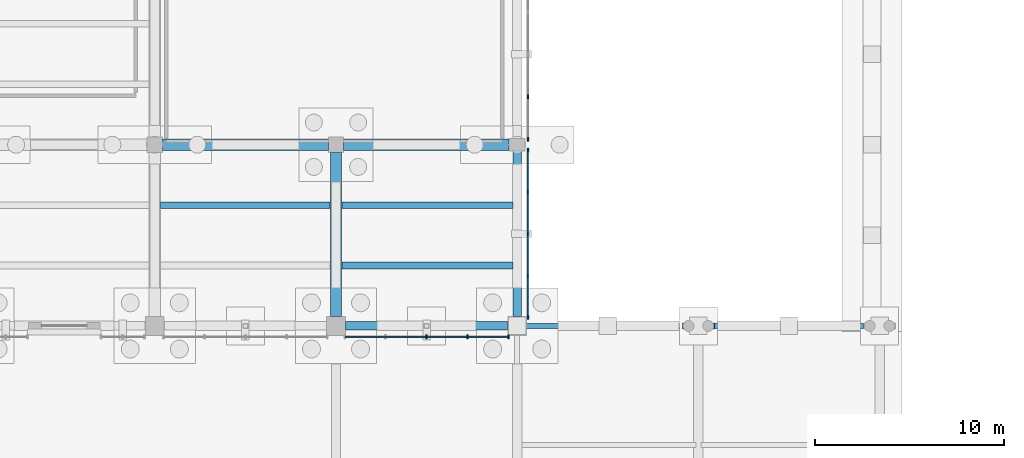
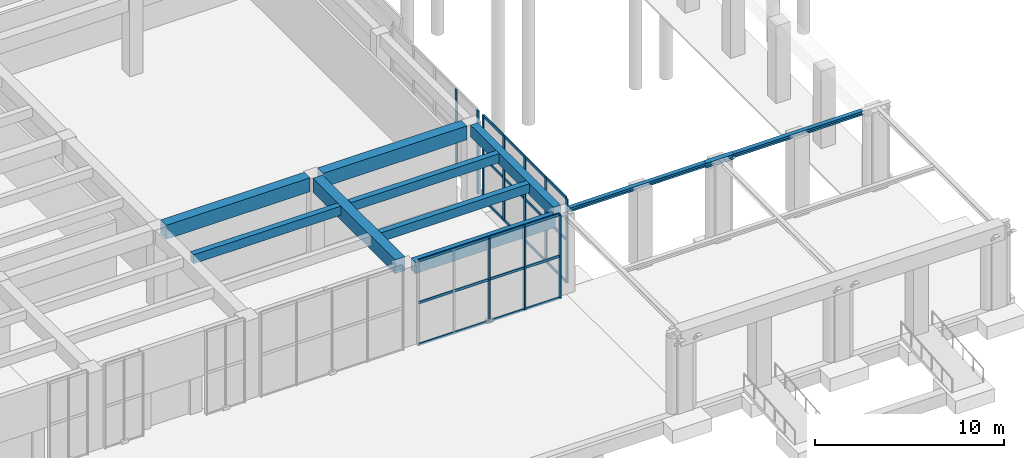
# One storey, part 18 of 51: 16 members, 11 beams, 3 elements without a shape of their own.
"""IFC4 building model written with IfcOpenShell, lengths in metres."""

from ifc_helpers import new_model, si_unit, direction, frame, origin, origin_2d, place, context, subcontext, project, spatial, rectangle, i_section, extrude, material, layer, layer_set, material_profile, profile_set, type_object, element, aggregate, save


model = new_model("IFC4")

# Units and contexts
model_context = context("Model", 3, precision=1e-05, world=origin(), true_north=direction((0.0, 1.0)))
body_context = subcontext(model_context, "Body", "Model", "MODEL_VIEW")
ifc_project = project(units=[si_unit("LENGTHUNIT", "METRE"), si_unit("AREAUNIT", "SQUARE_METRE"), si_unit("VOLUMEUNIT", "CUBIC_METRE"), si_unit("PLANEANGLEUNIT", "RADIAN"), si_unit("MASSUNIT", "GRAM", prefix="KILO")], contexts=[model_context])

# Site, building, storey
site_placement = place(None, origin())
site = spatial("IfcSite", under=ifc_project, at=site_placement, CompositionType="ELEMENT")
building_placement = place(site_placement, origin())
building = spatial("IfcBuilding", under=site, at=building_placement, Name="Bempovik Park Faculty of Sciences", CompositionType="ELEMENT")
storey_placement = place(building_placement, origin())
storey = spatial("IfcBuildingStorey", under=building, at=storey_placement, Name="L00", CompositionType="ELEMENT", Elevation=0.0)

# Beams
ifc_material_1 = material(Name="Steel S355", Category="steel")
ifc_material_profile_1 = material_profile(ifc_material_1, i_section(OverallWidth=0.300048828125, OverallDepth=0.31005859375, WebThickness=0.009033203125, FlangeThickness=0.015380859375, at=origin_2d()), Name="HEA 320")
ifc_profile_set_1 = profile_set([ifc_material_profile_1], Name="Steel S355")
beam_type_1 = type_object("IfcBeamType", Name="B-024 HEA 320", PredefinedType="BEAM", material=ifc_profile_set_1)
beam_1_placement = place(storey_placement, frame((126.35009765625, 19.800048828125, 5.02490234375), z_axis=(1.0, 0.0, 0.0), x_axis=(0.0, 1.0, 0.0)))
element("IfcBeam", 1, at=beam_1_placement, inside=storey, type_object=beam_type_1, Name="Colonnade Rear Cap Beam E-127.2", PredefinedType="BEAM", context=body_context, shape_type="SweptSolid", body=[
    extrude(i_section(OverallWidth=0.300048828125, OverallDepth=0.31005859375, WebThickness=0.009033203125, FlangeThickness=0.015380859375, at=origin_2d()), origin(), (0.0, 0.0, 1.0), 1.699951171875),
])
ifc_material_profile_2 = material_profile(ifc_material_1, i_section(OverallWidth=0.260009765625, OverallDepth=0.25, WebThickness=0.007568359375, FlangeThickness=0.012451171875, at=origin_2d()), Name="HEA 260")
ifc_profile_set_2 = profile_set([ifc_material_profile_2], Name="Steel S355")
beam_type_2 = type_object("IfcBeamType", Name="B-082 HEA 260", PredefinedType="BEAM", material=ifc_profile_set_2)
beam_2_placement = place(storey_placement, frame((118.02587890625, 19.800048828125, 5.054931640625), z_axis=(1.0, 0.0, 0.0), x_axis=(0.0, 1.0, 0.0)))
element("IfcBeam", 2, at=beam_2_placement, inside=storey, type_object=beam_type_2, Name="Colonnade Beam X E (117.6-127.2)", PredefinedType="BEAM", context=body_context, shape_type="SweptSolid", body=[
    extrude(i_section(OverallWidth=0.260009765625, OverallDepth=0.25, WebThickness=0.007568359375, FlangeThickness=0.012451171875, at=origin_2d()), origin(), (0.0, 0.0, 1.0), 8.318115234375),
])
beam_3_placement = place(storey_placement, frame((128.055908203125, 19.800048828125, 5.054931640625), z_axis=(1.0, 0.0, 0.0), x_axis=(0.0, 1.0, 0.0)))
element("IfcBeam", 3, at=beam_3_placement, inside=storey, type_object=beam_type_2, Name="Colonnade Beam X E (127.2-136.8)", PredefinedType="BEAM", context=body_context, shape_type="SweptSolid", body=[
    extrude(i_section(OverallWidth=0.260009765625, OverallDepth=0.25, WebThickness=0.007568359375, FlangeThickness=0.012451171875, at=origin_2d()), origin(), (0.0, 0.0, 1.0), 7.88818359375),
])
ifc_material_2 = material(Name="Concrete C35/45", Category="concrete")
ifc_material_profile_3 = material_profile(ifc_material_2, rectangle(XDim=0.35009765625, YDim=0.580078125, at=origin_2d()), Name="RC 350x580")
ifc_profile_set_3 = profile_set([ifc_material_profile_3], Name="Concrete C35/45")
beam_type_3 = type_object("IfcBeamType", Name="B-107 RC 350x580", PredefinedType="JOIST", material=ifc_profile_set_3)
beam_4_placement = place(storey_placement, frame((98.7060546875, 26.199951171875, 4.7900390625), z_axis=(1.0, 0.0, 0.0), x_axis=(0.0, 1.0, 0.0)))
element("IfcBeam", 4, at=beam_4_placement, inside=storey, type_object=beam_type_3, Name="L00 Secondary Joist (98.4-108.0, y=26.20)", PredefinedType="JOIST", context=body_context, shape_type="SweptSolid", body=[
    extrude(rectangle(XDim=0.35009765625, YDim=0.580078125, at=origin_2d()), origin(), (0.0, 0.0, 1.0), 8.988037109375),
])
for number, where, z_axis, x_axis, name in (
    (5, (108.305908203125, 23.0, 4.7900390625), (1.0, 0.0, 0.0), (0.0, 1.0, 0.0), "L00 Secondary Joist (108.0-117.6, y=23.00)"),
    (6, (108.305908203125, 26.199951171875, 4.7900390625), (1.0, 0.0, 0.0), (0.0, 1.0, 0.0), "L00 Secondary Joist (108.0-117.6, y=26.20)"),
):
    element("IfcBeam", number, at=place(storey_placement, frame(where, z_axis=z_axis, x_axis=x_axis)), inside=storey, type_object=beam_type_3, Name=name, PredefinedType="JOIST", context=body_context, shape_type="SweptSolid", body=[
        extrude(rectangle(XDim=0.35009765625, YDim=0.580078125, at=origin_2d()), origin(), (0.0, 0.0, 1.0), 9.06298828125),
    ])
ifc_material_3 = material(Name="Concrete C40/50", Category="concrete")
ifc_material_profile_4 = material_profile(ifc_material_3, rectangle(XDim=0.60009765625, YDim=0.89990234375, at=origin_2d()), Name="RC 600x900")
ifc_profile_set_4 = profile_set([ifc_material_profile_4], Name="Concrete C40/50")
beam_type_4 = type_object("IfcBeamType", Name="B-115 RC 600x900", PredefinedType="BEAM", material=ifc_profile_set_4)
beam_5_placement = place(storey_placement, frame((98.805908203125, 29.39990234375, 4.6298828125), z_axis=(1.0, 0.0, 0.0), x_axis=(0.0, 1.0, 0.0)))
element("IfcBeam", 7, at=beam_5_placement, inside=storey, type_object=beam_type_4, Name="L00 Beam X (98.4-108.0, y=29.4)", PredefinedType="BEAM", context=body_context, shape_type="SweptSolid", body=[
    extrude(rectangle(XDim=0.60009765625, YDim=0.89990234375, at=origin_2d()), origin(), (0.0, 0.0, 1.0), 8.7880859375),
])
beam_6_placement = place(storey_placement, frame((108.406005859375, 29.39990234375, 4.6298828125), z_axis=(1.0, 0.0, 0.0), x_axis=(0.0, 1.0, 0.0)))
element("IfcBeam", 8, at=beam_6_placement, inside=storey, type_object=beam_type_4, Name="L00 Beam X (108.0-117.6, y=29.4)", PredefinedType="BEAM", context=body_context, shape_type="SweptSolid", body=[
    extrude(rectangle(XDim=0.60009765625, YDim=0.89990234375, at=origin_2d()), origin(), (0.0, 0.0, 1.0), 8.762939453125),
])
beam_7_placement = place(storey_placement, frame((108.0, 20.305908203125, 4.6298828125), z_axis=(0.0, 1.0, 0.0), x_axis=(-1.0, 0.0, 0.0)))
element("IfcBeam", 9, at=beam_7_placement, inside=storey, type_object=beam_type_4, Name="L00 Beam Y (x=108.0, 19.8-29.4)", PredefinedType="BEAM", context=body_context, shape_type="SweptSolid", body=[
    extrude(rectangle(XDim=0.60009765625, YDim=0.89990234375, at=origin_2d()), origin(), (0.0, 0.0, 1.0), 8.68798828125),
])
ifc_material_profile_5 = material_profile(ifc_material_3, rectangle(XDim=0.449951171875, YDim=0.75, at=origin_2d()), Name="RC 450x750")
ifc_profile_set_5 = profile_set([ifc_material_profile_5], Name="Concrete C40/50")
beam_type_5 = type_object("IfcBeamType", Name="B-130 RC 450x750", PredefinedType="SPANDREL", material=ifc_profile_set_5)
beam_8_placement = place(storey_placement, frame((108.506103515625, 19.800048828125, 4.705078125), z_axis=(1.0, 0.0, 0.0), x_axis=(0.0, 1.0, 0.0)))
element("IfcBeam", 10, at=beam_8_placement, inside=storey, type_object=beam_type_5, Name="L00 Beam X (108.0-117.6, y=19.8)", PredefinedType="SPANDREL", context=body_context, shape_type="SweptSolid", body=[
    extrude(rectangle(XDim=0.449951171875, YDim=0.75, at=origin_2d()), origin(), (0.0, 0.0, 1.0), 8.587890625),
])
beam_9_placement = place(storey_placement, frame((117.60009765625, 20.305908203125, 4.705078125), z_axis=(0.0, 1.0, 0.0), x_axis=(-1.0, 0.0, 0.0)))
element("IfcBeam", 11, at=beam_9_placement, inside=storey, type_object=beam_type_5, Name="L00 Beam Y (x=117.6, 19.8-29.4)", PredefinedType="SPANDREL", context=body_context, shape_type="SweptSolid", body=[
    extrude(rectangle(XDim=0.449951171875, YDim=0.75, at=origin_2d()), origin(), (0.0, 0.0, 1.0), 8.76318359375),
])

# Curtain wall, members
ifc_material_4 = material(Name="Tempered laminated low-E glass", Category="glass")
ifc_layer = layer(ifc_material_4, 0.159912109375)
ifc_layer_set = layer_set([ifc_layer], Name="Tempered laminated low-E glass")
curtain_wall_type = type_object("IfcCurtainWallType", Name="CW-57 Curtain 7200x5100", PredefinedType="USERDEFINED", material=ifc_layer_set)
curtain_wall_1_placement = place(storey_placement, origin())
curtain_wall_1 = element("IfcCurtainWall", 12, at=curtain_wall_1_placement, inside=storey, type_object=curtain_wall_type, Name="L00 Recessed Entrance Foyer Curtain Wall (19.8-29.4)", ObjectType="UNITISED CURTAIN WALL", PredefinedType="USERDEFINED")
ifc_material_5 = material(Name="Anodised architectural bronze", Category="aluminium")
ifc_material_profile_6 = material_profile(ifc_material_5, rectangle(XDim=0.074951171875, YDim=0.199951171875, at=origin_2d()), Name="ALU-M 75x200")
ifc_profile_set_6 = profile_set([ifc_material_profile_6], Name="Anodised architectural bronze")
member_type_1 = type_object("IfcMemberType", Name="ML-17 ALU-M 75x200", PredefinedType="MULLION", material=ifc_profile_set_6)
member_1_placement = place(storey_placement, frame((118.179931640625, 20.261962890625, 0.0), z_axis=(0.0, 0.0, 1.0), x_axis=(1.0, 0.0, 0.0)))
member_1 = element("IfcMember", 13, at=member_1_placement, type_object=member_type_1, Name="CW-FOY-L00-1176-198 Mullion 0", PredefinedType="MULLION", context=body_context, shape_type="SweptSolid", body=[
    extrude(rectangle(XDim=0.074951171875, YDim=0.199951171875, at=origin_2d()), origin(), (0.0, 0.0, 1.0), 5.39990234375),
])
member_2_placement = place(storey_placement, frame((118.179931640625, 22.474853515625, 0.0), z_axis=(0.0, 0.0, 1.0), x_axis=(1.0, 0.0, 0.0)))
member_2 = element("IfcMember", 14, at=member_2_placement, type_object=member_type_1, Name="CW-FOY-L00-1176-198 Mullion 1", PredefinedType="MULLION", context=body_context, shape_type="SweptSolid", body=[
    extrude(rectangle(XDim=0.074951171875, YDim=0.199951171875, at=origin_2d()), origin(), (0.0, 0.0, 1.0), 5.39990234375),
])
member_3_placement = place(storey_placement, frame((118.179931640625, 24.6875, 0.0), z_axis=(0.0, 0.0, 1.0), x_axis=(1.0, 0.0, 0.0)))
member_3 = element("IfcMember", 15, at=member_3_placement, type_object=member_type_1, Name="CW-FOY-L00-1176-198 Mullion 2", PredefinedType="MULLION", context=body_context, shape_type="SweptSolid", body=[
    extrude(rectangle(XDim=0.074951171875, YDim=0.199951171875, at=origin_2d()), origin(), (0.0, 0.0, 1.0), 5.39990234375),
])
member_4_placement = place(storey_placement, frame((118.179931640625, 26.900146484375, 0.0), z_axis=(0.0, 0.0, 1.0), x_axis=(1.0, 0.0, 0.0)))
member_4 = element("IfcMember", 16, at=member_4_placement, type_object=member_type_1, Name="CW-FOY-L00-1176-198 Mullion 3", PredefinedType="MULLION", context=body_context, shape_type="SweptSolid", body=[
    extrude(rectangle(XDim=0.074951171875, YDim=0.199951171875, at=origin_2d()), origin(), (0.0, 0.0, 1.0), 5.39990234375),
])
member_5_placement = place(storey_placement, frame((118.179931640625, 29.113037109375, 0.0), z_axis=(0.0, 0.0, 1.0), x_axis=(1.0, 0.0, 0.0)))
member_5 = element("IfcMember", 17, at=member_5_placement, type_object=member_type_1, Name="CW-FOY-L00-1176-198 Mullion 4", PredefinedType="MULLION", context=body_context, shape_type="SweptSolid", body=[
    extrude(rectangle(XDim=0.074951171875, YDim=0.199951171875, at=origin_2d()), origin(), (0.0, 0.0, 1.0), 5.39990234375),
])

curtain_wall_2_placement = place(storey_placement, origin())
curtain_wall_2 = element("IfcCurtainWall", 18, at=curtain_wall_2_placement, inside=storey, type_object=curtain_wall_type, Name="L00 Recessed Entrance Foyer Curtain Wall (29.4-39.0)", ObjectType="UNITISED CURTAIN WALL", PredefinedType="USERDEFINED")
member_6_placement = place(storey_placement, frame((118.179931640625, 29.68701171875, 0.0), z_axis=(0.0, 0.0, 1.0), x_axis=(1.0, 0.0, 0.0)))
member_6 = element("IfcMember", 19, at=member_6_placement, type_object=member_type_1, Name="CW-FOY-L00-1176-294 Mullion 0", PredefinedType="MULLION", context=body_context, shape_type="SweptSolid", body=[
    extrude(rectangle(XDim=0.074951171875, YDim=0.199951171875, at=origin_2d()), origin(), (0.0, 0.0, 1.0), 5.39990234375),
])
member_7_placement = place(storey_placement, frame((118.179931640625, 31.943603515625, 0.0), z_axis=(0.0, 0.0, 1.0), x_axis=(1.0, 0.0, 0.0)))
member_7 = element("IfcMember", 20, at=member_7_placement, type_object=member_type_1, Name="CW-FOY-L00-1176-294 Mullion 1", PredefinedType="MULLION", context=body_context, shape_type="SweptSolid", body=[
    extrude(rectangle(XDim=0.074951171875, YDim=0.199951171875, at=origin_2d()), origin(), (0.0, 0.0, 1.0), 5.39990234375),
])
aggregate(curtain_wall_2, [member_6, member_7])

curtain_wall_3_placement = place(storey_placement, origin())
curtain_wall_3 = element("IfcCurtainWall", 21, at=curtain_wall_3_placement, inside=storey, type_object=curtain_wall_type, Name="L00 Recessed Entrance Foyer Curtain Wall (108.0-117.6)", ObjectType="UNITISED CURTAIN WALL", PredefinedType="USERDEFINED")
member_8_placement = place(storey_placement, frame((112.800048828125, 19.219970703125, 0.0), z_axis=(0.0, 0.0, 1.0), x_axis=(1.0, 0.0, 0.0)))
member_8 = element("IfcMember", 22, at=member_8_placement, type_object=member_type_1, Name="CW-FOY-L00-198-1080 Mullion 2", PredefinedType="MULLION", context=body_context, shape_type="SweptSolid", body=[
    extrude(rectangle(XDim=0.074951171875, YDim=0.199951171875, at=origin_2d()), origin(), (0.0, 0.0, 1.0), 5.39990234375),
])
member_9_placement = place(storey_placement, frame((114.968994140625, 19.219970703125, 0.0), z_axis=(0.0, 0.0, 1.0), x_axis=(1.0, 0.0, 0.0)))
member_9 = element("IfcMember", 23, at=member_9_placement, type_object=member_type_1, Name="CW-FOY-L00-198-1080 Mullion 3", PredefinedType="MULLION", context=body_context, shape_type="SweptSolid", body=[
    extrude(rectangle(XDim=0.074951171875, YDim=0.199951171875, at=origin_2d()), origin(), (0.0, 0.0, 1.0), 5.39990234375),
])
member_10_placement = place(storey_placement, frame((117.137939453125, 19.219970703125, 0.0), z_axis=(0.0, 0.0, 1.0), x_axis=(1.0, 0.0, 0.0)))
member_10 = element("IfcMember", 24, at=member_10_placement, type_object=member_type_1, Name="CW-FOY-L00-198-1080 Mullion 4", PredefinedType="MULLION", context=body_context, shape_type="SweptSolid", body=[
    extrude(rectangle(XDim=0.074951171875, YDim=0.199951171875, at=origin_2d()), origin(), (0.0, 0.0, 1.0), 5.39990234375),
])

# Member
ifc_material_profile_7 = material_profile(ifc_material_5, rectangle(XDim=0.074951171875, YDim=0.1650390625, at=origin_2d()), Name="ALU-T 75x165")
ifc_profile_set_7 = profile_set([ifc_material_profile_7], Name="Anodised architectural bronze")
member_type_2 = type_object("IfcMemberType", Name="TR-15 ALU-T 75x165", PredefinedType="USERDEFINED", material=ifc_profile_set_7)
member_11_placement = place(storey_placement, frame((118.179931640625, 20.302001953125, 0.0), z_axis=(0.0, 1.0, 0.0), x_axis=(-1.0, 0.0, 0.0)))
member_11 = element("IfcMember", 25, at=member_11_placement, type_object=member_type_2, Name="CW-FOY-L00-1176-198 Transom 0", ObjectType="TRANSOM", PredefinedType="USERDEFINED", context=body_context, shape_type="SweptSolid", body=[
    extrude(rectangle(XDim=0.074951171875, YDim=0.1650390625, at=origin_2d()), origin(), (0.0, 0.0, 1.0), 8.77099609375),
])

member_12_placement = place(storey_placement, frame((118.179931640625, 20.302001953125, 2.699951171875), z_axis=(0.0, 1.0, 0.0), x_axis=(-1.0, 0.0, 0.0)))
member_12 = element("IfcMember", 26, at=member_12_placement, type_object=member_type_2, Name="CW-FOY-L00-1176-198 Transom 1", ObjectType="TRANSOM", PredefinedType="USERDEFINED", context=body_context, shape_type="SweptSolid", body=[
    extrude(rectangle(XDim=0.074951171875, YDim=0.1650390625, at=origin_2d()), origin(), (0.0, 0.0, 1.0), 8.77099609375),
])

member_13_placement = place(storey_placement, frame((118.179931640625, 20.302001953125, 5.39990234375), z_axis=(0.0, 1.0, 0.0), x_axis=(-1.0, 0.0, 0.0)))
member_13 = element("IfcMember", 27, at=member_13_placement, type_object=member_type_2, Name="CW-FOY-L00-1176-198 Transom 2", ObjectType="TRANSOM", PredefinedType="USERDEFINED", context=body_context, shape_type="SweptSolid", body=[
    extrude(rectangle(XDim=0.074951171875, YDim=0.1650390625, at=origin_2d()), origin(), (0.0, 0.0, 1.0), 8.77099609375),
])

aggregate(curtain_wall_1, [member_1, member_2, member_3, member_4, member_5, member_11, member_12, member_13])

member_14_placement = place(storey_placement, frame((108.501953125, 19.219970703125, 0.0), z_axis=(1.0, 0.0, 0.0), x_axis=(0.0, 1.0, 0.0)))
member_14 = element("IfcMember", 28, at=member_14_placement, type_object=member_type_2, Name="CW-FOY-L00-198-1080 Transom 0", ObjectType="TRANSOM", PredefinedType="USERDEFINED", context=body_context, shape_type="SweptSolid", body=[
    extrude(rectangle(XDim=0.074951171875, YDim=0.1650390625, at=origin_2d()), origin(), (0.0, 0.0, 1.0), 8.595947265625),
])

member_15_placement = place(storey_placement, frame((108.501953125, 19.219970703125, 2.699951171875), z_axis=(1.0, 0.0, 0.0), x_axis=(0.0, 1.0, 0.0)))
member_15 = element("IfcMember", 29, at=member_15_placement, type_object=member_type_2, Name="CW-FOY-L00-198-1080 Transom 1", ObjectType="TRANSOM", PredefinedType="USERDEFINED", context=body_context, shape_type="SweptSolid", body=[
    extrude(rectangle(XDim=0.074951171875, YDim=0.1650390625, at=origin_2d()), origin(), (0.0, 0.0, 1.0), 8.595947265625),
])

member_16_placement = place(storey_placement, frame((108.501953125, 19.219970703125, 5.39990234375), z_axis=(1.0, 0.0, 0.0), x_axis=(0.0, 1.0, 0.0)))
member_16 = element("IfcMember", 30, at=member_16_placement, type_object=member_type_2, Name="CW-FOY-L00-198-1080 Transom 2", ObjectType="TRANSOM", PredefinedType="USERDEFINED", context=body_context, shape_type="SweptSolid", body=[
    extrude(rectangle(XDim=0.074951171875, YDim=0.1650390625, at=origin_2d()), origin(), (0.0, 0.0, 1.0), 8.595947265625),
])

aggregate(curtain_wall_3, [member_8, member_9, member_10, member_14, member_15, member_16])

save(model, "model.ifc")
